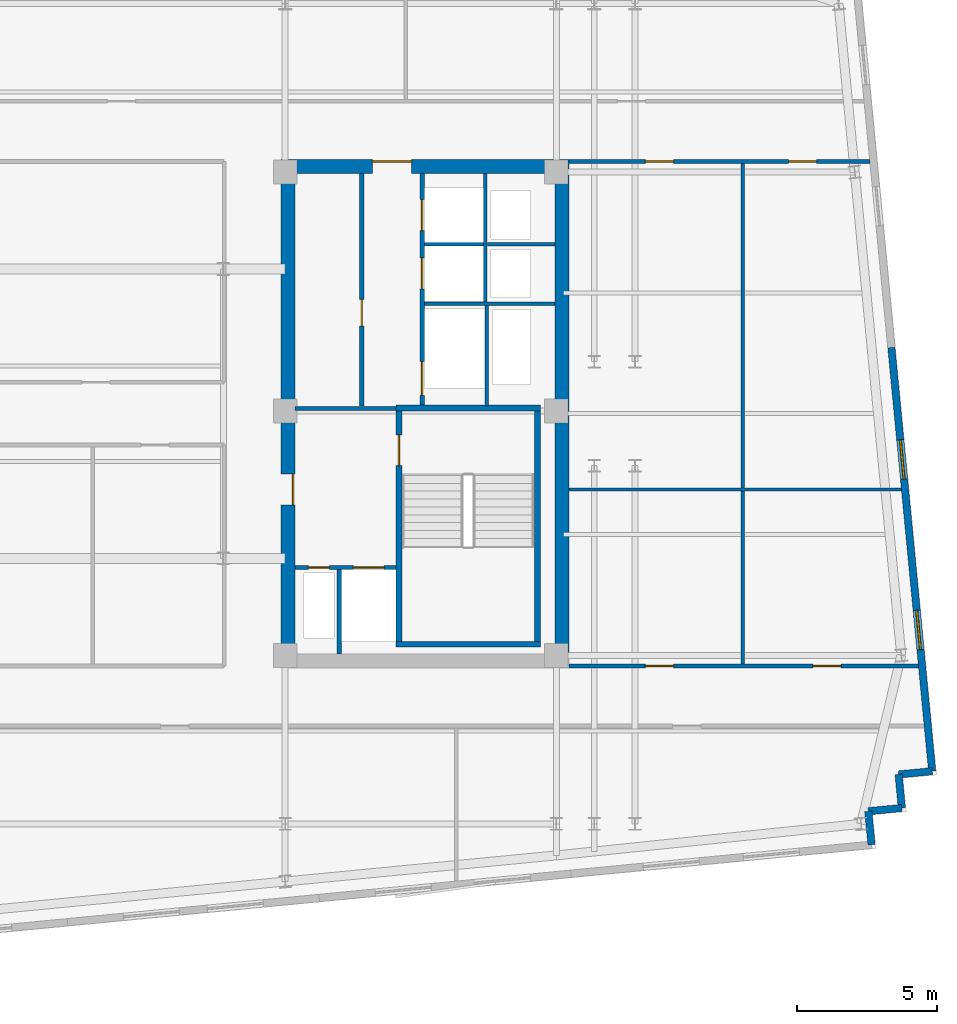
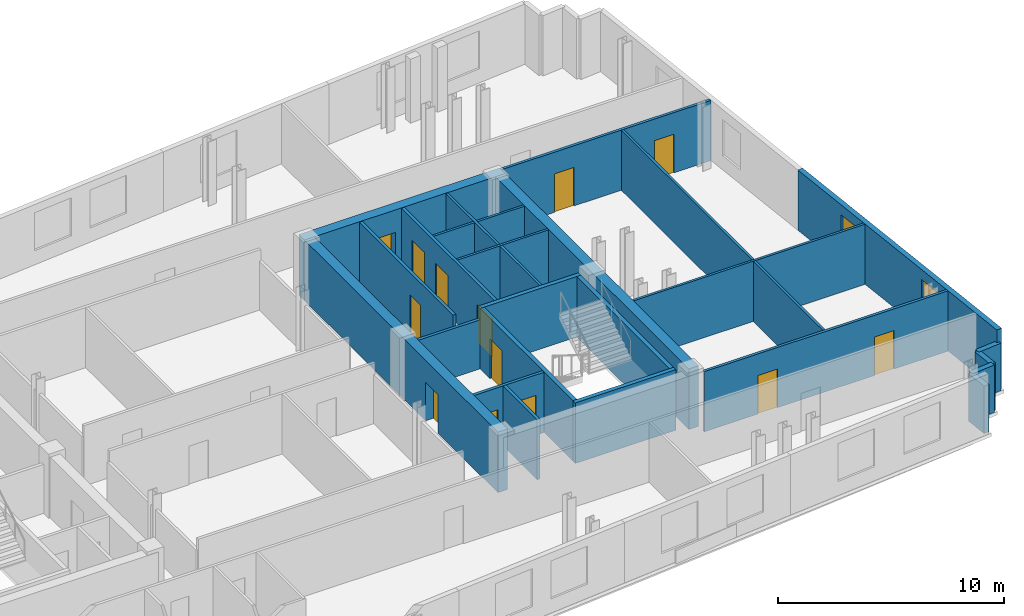
# One storey, part 5 of 8: 26 walls, 13 doors, 2 windows, 15 openings.
"""IFC4 building model written with IfcOpenShell, lengths in metres."""

from ifc_helpers import new_model, si_unit, direction, frame, frame_2d, origin, place, context, subcontext, project, spatial, rectangle, extrude, material, layer, layer_set, type_object, element, fill, save


model = new_model("IFC4")

# Units and contexts
model_context = context("Model", 3, precision=1e-05, world=origin(), true_north=direction((0.0, 1.0)))
body_context = subcontext(model_context, "Body", "Model", "MODEL_VIEW")
ifc_project = project(units=[si_unit("LENGTHUNIT", "METRE"), si_unit("AREAUNIT", "SQUARE_METRE"), si_unit("VOLUMEUNIT", "CUBIC_METRE"), si_unit("PLANEANGLEUNIT", "RADIAN"), si_unit("MASSUNIT", "GRAM", prefix="KILO")], contexts=[model_context])

# Site, building, storey
site_placement = place(None, origin())
site = spatial("IfcSite", under=ifc_project, at=site_placement, CompositionType="ELEMENT")
building_placement = place(site_placement, origin())
building = spatial("IfcBuilding", under=site, at=building_placement, Name="Velakula Bourse", CompositionType="ELEMENT")
storey_placement = place(building_placement, frame((0.0, 0.0, 255.14990234375)))
storey = spatial("IfcBuildingStorey", under=building, at=storey_placement, Name="L69", CompositionType="ELEMENT", Elevation=255.14990234375)

# Wall, opening, door
ifc_material_1 = material(Name="Concrete M50 (fck 50 MPa)", Category="concrete")
ifc_layer_1 = layer(ifc_material_1, 0.2099609375, Name="Concrete M50 (fck 50 MPa)", Category="concrete")
ifc_layer_set_1 = layer_set([ifc_layer_1], Name="Concrete M50 (fck 50 MPa)")
wall_type_1 = type_object("IfcWallType", Name="WL-CORE-210", PredefinedType="SHEAR", material=ifc_layer_set_1)
wall_1_placement = place(storey_placement, frame((12.9951171875, -8.10009765625, 0.0), z_axis=(0.0, 0.0, 1.0), x_axis=(0.0, 1.0, 0.0)))
wall_1 = element("IfcWall", 1, at=wall_1_placement, inside=storey, type_object=wall_type_1, Name="L69 Core E Stairwell Shear Wall IN", PredefinedType="SHEAR", context=body_context, shape_type="SweptSolid", body=[
    extrude(rectangle(XDim=8.2001953125, YDim=0.2099609375, at=frame_2d((4.10009765625, 0.0))), origin(), (0.0, 0.0, 1.0), 3.27001953125),
])
opening_1_placement = place(wall_1_placement, frame((6.25, 0.0, 0.0)))
opening_1 = element("IfcOpeningElement", 2, at=opening_1_placement, cuts=wall_1, Name="Opening D-STE1", PredefinedType="OPENING", context=body_context, shape_type="SweptSolid", body=[
    extrude(rectangle(XDim=1.10009765625, YDim=2.14990234375, at=frame_2d((0.550048828125, 1.074951171875))), frame((0.0, 0.114990234375, 0.0), z_axis=(0.0, -1.0, 0.0), x_axis=(1.0, 0.0, 0.0)), (0.0, 0.0, 1.0), 0.22998046875),
])
ifc_material_2 = material(Name="Galvanised painted hollow steel fire door", Category="steel")
door_type_1 = type_object("IfcDoorType", Name="DR-FD120-1100x2150", OperationType="NOTDEFINED", PredefinedType="DOOR", material=ifc_material_2)
door_1_placement = place(opening_1_placement, origin())
door_1 = element("IfcDoor", 3, at=door_1_placement, inside=storey, type_object=door_type_1, Name="L69 Stair ST-E1 Fire Door", OperationType="SINGLE_SWING_RIGHT", OverallHeight=2.14990234375, OverallWidth=1.10009765625, PredefinedType="DOOR", context=body_context, shape_type="SweptSolid", body=[
    extrude(rectangle(XDim=1.10009765625, YDim=2.14990234375, at=frame_2d((0.550048828125, 1.074951171875))), frame((0.0, 0.02490234375, 0.0), z_axis=(0.0, -1.0, 0.0), x_axis=(1.0, 0.0, 0.0)), (0.0, 0.0, 1.0), 0.050048828125),
])
fill(opening_1, door_1)

# Walls
wall_2_placement = place(storey_placement, frame((17.925048828125, -8.10009765625, 0.0), z_axis=(0.0, 0.0, 1.0), x_axis=(0.0, 1.0, 0.0)))
element("IfcWall", 4, at=wall_2_placement, inside=storey, type_object=wall_type_1, Name="L69 Core E Stairwell Shear Wall OUT", PredefinedType="SHEAR", context=body_context, shape_type="SweptSolid", body=[
    extrude(rectangle(XDim=8.2001953125, YDim=0.2099609375, at=frame_2d((4.10009765625, 0.0))), origin(), (0.0, 0.0, 1.0), 3.27001953125),
])
for number, where, z_axis, x_axis, name in (
    (5, (12.889892578125, -8.205078125, 0.0), (0.0, 0.0, 1.0), (1.0, 0.0, 0.0), "L69 Core E Stairwell Shear Wall S"),
    (6, (18.030029296875, 0.205078125, 0.0), (0.0, 0.0, 1.0), (-1.0, 0.0, 0.0), "L69 Core E Stairwell Shear Wall N"),
):
    element("IfcWall", number, at=place(storey_placement, frame(where, z_axis=z_axis, x_axis=x_axis)), inside=storey, type_object=wall_type_1, Name=name, PredefinedType="SHEAR", context=body_context, shape_type="SweptSolid", body=[
        extrude(rectangle(XDim=5.14013671875, YDim=0.2099609375, at=frame_2d((2.570068359375, 0.0))), origin(), (0.0, 0.0, 1.0), 3.27001953125),
    ])

# Wall, opening, door
ifc_layer_2 = layer(ifc_material_1, 0.5, Name="Concrete M50 (fck 50 MPa)", Category="concrete")
ifc_layer_set_2 = layer_set([ifc_layer_2], Name="Concrete M50 (fck 50 MPa)")
wall_type_2 = type_object("IfcWallType", Name="WL-CORE-500", PredefinedType="SHEAR", material=ifc_layer_set_2)
wall_3_placement = place(storey_placement, frame((8.800048828125, 8.800048828125, 0.0), z_axis=(0.0, 0.0, 1.0), x_axis=(1.0, 0.0, 0.0)))
wall_3 = element("IfcWall", 7, at=wall_3_placement, inside=storey, type_object=wall_type_2, Name="L69 Core E Shear Wall N", PredefinedType="SHEAR", context=body_context, shape_type="SweptSolid", body=[
    extrude(rectangle(XDim=10.25, YDim=0.5, at=frame_2d((5.125, 0.0))), origin(), (0.0, 0.0, 1.0), 3.27001953125),
])
opening_2_placement = place(wall_3_placement, frame((3.25, 0.0, 0.0)))
opening_2 = element("IfcOpeningElement", 8, at=opening_2_placement, cuts=wall_3, Name="Opening D-LLE", PredefinedType="OPENING", context=body_context, shape_type="SweptSolid", body=[
    extrude(rectangle(XDim=1.39990234375, YDim=2.050048828125, at=frame_2d((0.699951171875, 1.02490234375))), frame((0.0, 0.260009765625, 0.0), z_axis=(0.0, -1.0, 0.0), x_axis=(1.0, 0.0, 0.0)), (0.0, 0.0, 1.0), 0.52001953125),
])
ifc_material_3 = material(Name="Fire-rated hardwood flush architectural door", Category="wood")
door_type_2 = type_object("IfcDoorType", Name="DR-DBL-FD60-1400", OperationType="DOUBLE_DOOR_SINGLE_SWING", PredefinedType="DOOR", material=ifc_material_3)
door_2_placement = place(opening_2_placement, origin())
door_2 = element("IfcDoor", 9, at=door_2_placement, inside=storey, type_object=door_type_2, Name="L69 Core E Lift Lobby Corridor Double Door", OperationType="DOUBLE_DOOR_SINGLE_SWING", OverallHeight=2.050048828125, OverallWidth=1.39990234375, PredefinedType="DOOR", context=body_context, shape_type="SweptSolid", body=[
    extrude(rectangle(XDim=1.39990234375, YDim=2.050048828125, at=frame_2d((0.699951171875, 1.02490234375))), frame((0.0, 0.19482421875, 0.0), z_axis=(0.0, -1.0, 0.0), x_axis=(1.0, 0.0, 0.0)), (0.0, 0.0, 1.0), 0.050048828125),
])
fill(opening_2, door_2)

wall_4_placement = place(storey_placement, frame((9.050048828125, -8.550048828125, 0.0), z_axis=(0.0, 0.0, 1.0), x_axis=(0.0, 1.0, 0.0)))
wall_4 = element("IfcWall", 10, at=wall_4_placement, inside=storey, type_object=wall_type_2, Name="L69 Core E Shear Wall W", PredefinedType="SHEAR", context=body_context, shape_type="SweptSolid", body=[
    extrude(rectangle(XDim=17.10009765625, YDim=0.5, at=frame_2d((8.550048828125, 0.0))), origin(), (0.0, 0.0, 1.0), 3.27001953125),
])
opening_3_placement = place(wall_4_placement, frame((5.300048828125, 0.0, 0.0)))
opening_3 = element("IfcOpeningElement", 11, at=opening_3_placement, cuts=wall_4, Name="Opening D-FLE", PredefinedType="OPENING", context=body_context, shape_type="SweptSolid", body=[
    extrude(rectangle(XDim=1.10009765625, YDim=2.080078125, at=frame_2d((0.550048828125, 1.0400390625))), frame((0.0, 0.260009765625, 0.0), z_axis=(0.0, -1.0, 0.0), x_axis=(1.0, 0.0, 0.0)), (0.0, 0.0, 1.0), 0.52001953125),
])
door_type_3 = type_object("IfcDoorType", Name="DR-FD120-1100", OperationType="NOTDEFINED", PredefinedType="DOOR", material=ifc_material_2)
door_3_placement = place(opening_3_placement, origin())
door_3 = element("IfcDoor", 12, at=door_3_placement, inside=storey, type_object=door_type_3, Name="L69 Firefighting Lobby E Corridor Fire Door", OperationType="SINGLE_SWING_RIGHT", OverallHeight=2.080078125, OverallWidth=1.10009765625, PredefinedType="DOOR", context=body_context, shape_type="SweptSolid", body=[
    extrude(rectangle(XDim=1.10009765625, YDim=2.080078125, at=frame_2d((0.550048828125, 1.0400390625))), frame((0.0, -0.15478515625, 0.0), z_axis=(0.0, -1.0, 0.0), x_axis=(1.0, 0.0, 0.0)), (0.0, 0.0, 1.0), 0.050048828125),
])
fill(opening_3, door_3)

# Wall
wall_5_placement = place(storey_placement, frame((18.800048828125, -8.550048828125, 0.0), z_axis=(0.0, 0.0, 1.0), x_axis=(0.0, 1.0, 0.0)))
element("IfcWall", 13, at=wall_5_placement, inside=storey, type_object=wall_type_2, Name="L69 Core E Shear Wall E", PredefinedType="SHEAR", context=body_context, shape_type="SweptSolid", body=[
    extrude(rectangle(XDim=17.10009765625, YDim=0.5, at=frame_2d((8.550048828125, 0.0))), origin(), (0.0, 0.0, 1.0), 3.27001953125),
])

# Wall, openings, windows
ifc_material_4 = material(Name="Buff kilned clay facing brick masonry", Category="masonry")
ifc_layer_3 = layer(ifc_material_4, 0.260009765625, Name="Buff kilned clay facing brick masonry", Category="masonry")
ifc_layer_set_3 = layer_set([ifc_layer_3], Name="Buff kilned clay facing brick masonry")
wall_type_3 = type_object("IfcWallType", Name="WL-EXT-BRK-260", PredefinedType="STANDARD", material=ifc_layer_set_3)
wall_6_placement = place(storey_placement, frame((30.52734375, 2.354248046875, 0.0), z_axis=(0.0, 0.0, 1.0), x_axis=(0.095850890337, -0.995395703638, 0.0)))
wall_6 = element("IfcWall", 14, at=wall_6_placement, inside=storey, type_object=wall_type_3, Name="L69 E Brick End Wall W1", PredefinedType="STANDARD", context=body_context, shape_type="SweptSolid", body=[
    extrude(rectangle(XDim=15.150146484375, YDim=0.260009765625, at=frame_2d((7.5751953125, 0.0))), origin(), (0.0, 0.0, 1.0), 3.25),
])
opening_4_placement = place(wall_6_placement, frame((3.300048828125, 0.0, 0.760009765625)))
opening_4 = element("IfcOpeningElement", 15, at=opening_4_placement, cuts=wall_6, Name="Opening W-03", PredefinedType="OPENING", context=body_context, shape_type="SweptSolid", body=[
    extrude(rectangle(XDim=1.39990234375, YDim=1.949951171875, at=frame_2d((0.699951171875, 0.97509765625))), frame((0.0, 0.139892578125, 0.0), z_axis=(0.0, -1.0, 0.0), x_axis=(1.0, 0.0, 0.0)), (0.0, 0.0, 1.0), 0.280029296875),
])
opening_5_placement = place(wall_6_placement, frame((9.39990234375, 0.0, 0.760009765625)))
opening_5 = element("IfcOpeningElement", 16, at=opening_5_placement, cuts=wall_6, Name="Opening W-03", PredefinedType="OPENING", context=body_context, shape_type="SweptSolid", body=[
    extrude(rectangle(XDim=1.39990234375, YDim=1.949951171875, at=frame_2d((0.699951171875, 0.97509765625))), frame((0.0, 0.139892578125, 0.0), z_axis=(0.0, -1.0, 0.0), x_axis=(1.0, 0.0, 0.0)), (0.0, 0.0, 1.0), 0.280029296875),
])
ifc_material_5 = material(Name="Double-glazed solar-control Low-E glass", Category="glass")
window_type = type_object("IfcWindowType", Name="WIN-TWR-1400x2100", PartitioningType="SINGLE_PANEL", PredefinedType="WINDOW", material=ifc_material_5)
window_1_placement = place(opening_4_placement, origin())
window_1 = element("IfcWindow", 17, at=window_1_placement, inside=storey, type_object=window_type, Name="L69 Deep-Set Recessed Window 1", OverallHeight=1.949951171875, OverallWidth=1.39990234375, PartitioningType="SINGLE_PANEL", PredefinedType="WINDOW", context=body_context, shape_type="SweptSolid", body=[
    extrude(rectangle(XDim=1.39990234375, YDim=1.949951171875, at=frame_2d((0.699951171875, 0.97509765625))), frame((0.0, 0.030029296875, 0.0), z_axis=(0.0, -1.0, 0.0), x_axis=(1.0, 0.0, 0.0)), (0.0, 0.0, 1.0), 0.06005859375),
])
fill(opening_4, window_1)
window_2_placement = place(opening_5_placement, origin())
window_2 = element("IfcWindow", 18, at=window_2_placement, inside=storey, type_object=window_type, Name="L69 Deep-Set Recessed Window 2", OverallHeight=1.949951171875, OverallWidth=1.39990234375, PartitioningType="SINGLE_PANEL", PredefinedType="WINDOW", context=body_context, shape_type="SweptSolid", body=[
    extrude(rectangle(XDim=1.39990234375, YDim=1.949951171875, at=frame_2d((0.699951171875, 0.97509765625))), frame((0.0, 0.030029296875, 0.0), z_axis=(0.0, -1.0, 0.0), x_axis=(1.0, 0.0, 0.0)), (0.0, 0.0, 1.0), 0.06005859375),
])
fill(opening_5, window_2)

# Walls
for number, where, z_axis, x_axis, name in (
    (19, (29.820556640625, -15.344970703125, 0.0), (0.0, 0.0, 1.0), (-0.096018626938, 0.995379537303, 0.0), "L69 Serrated Corner Brick Wall SE-1"),
    (20, (29.705322265625, -14.150390625, 0.0), (0.0, 0.0, 1.0), (0.995398960025, 0.095817067274, 0.0), "L69 Serrated Corner Brick Wall SE-2"),
):
    element("IfcWall", number, at=place(storey_placement, frame(where, z_axis=z_axis, x_axis=x_axis)), inside=storey, type_object=wall_type_3, Name=name, PredefinedType="STANDARD", context=body_context, shape_type="SweptSolid", body=[
        extrude(rectangle(XDim=1.2001953125, YDim=0.260009765625, at=frame_2d((0.60009765625, 0.0))), origin(), (0.0, 0.0, 1.0), 2.565185546875),
    ])
wall_7_placement = place(storey_placement, frame((30.89990234375, -14.035400390625, 0.0), z_axis=(0.0, 0.0, 1.0), x_axis=(-0.095836473879, 0.995397091755, 0.0)))
element("IfcWall", 21, at=wall_7_placement, inside=storey, type_object=wall_type_3, Name="L69 Serrated Corner Brick Wall SE-3", PredefinedType="STANDARD", context=body_context, shape_type="SweptSolid", body=[
    extrude(rectangle(XDim=1.199951171875, YDim=0.260009765625, at=frame_2d((0.60009765625, 0.0))), origin(), (0.0, 0.0, 1.0), 2.565185546875),
])
wall_8_placement = place(storey_placement, frame((30.784912109375, -12.841064453125, 0.0), z_axis=(0.0, 0.0, 1.0), x_axis=(0.995398960025, 0.095817067274, 0.0)))
element("IfcWall", 22, at=wall_8_placement, inside=storey, type_object=wall_type_3, Name="L69 Serrated Corner Brick Wall SE-4", PredefinedType="STANDARD", context=body_context, shape_type="SweptSolid", body=[
    extrude(rectangle(XDim=1.2001953125, YDim=0.260009765625, at=frame_2d((0.60009765625, 0.0))), origin(), (0.0, 0.0, 1.0), 2.565185546875),
])
ifc_material_6 = material(Name="Fire-rated double-layer gypsum drywall partition", Category="gypsum")
ifc_layer_4 = layer(ifc_material_6, 0.1201171875, Name="Fire-rated double-layer gypsum drywall partition", Category="gypsum")
ifc_layer_set_4 = layer_set([ifc_layer_4], Name="Fire-rated double-layer gypsum drywall partition")
wall_type_4 = type_object("IfcWallType", Name="WL-PART-120", PredefinedType="STANDARD", material=ifc_layer_set_4)
wall_9_placement = place(storey_placement, frame((13.89990234375, 3.919921875, 0.0), z_axis=(0.0, 0.0, 1.0), x_axis=(1.0, 0.0, 0.0)))
element("IfcWall", 23, at=wall_9_placement, inside=storey, type_object=wall_type_4, Name="L69 Interior Partition WL-CRE-L69-HI-S", PredefinedType="STANDARD", context=body_context, shape_type="SweptSolid", body=[
    extrude(rectangle(XDim=4.650146484375, YDim=0.1201171875, at=frame_2d((2.3251953125, 0.0))), origin(), (0.0, 0.0, 1.0), 3.25),
])
wall_10_placement = place(storey_placement, frame((16.14990234375, 6.030029296875, 0.0), z_axis=(0.0, 0.0, 1.0), x_axis=(1.0, 0.0, 0.0)))
element("IfcWall", 24, at=wall_10_placement, inside=storey, type_object=wall_type_4, Name="L69 Interior Partition WL-CRE-L69-RIS-MID", PredefinedType="STANDARD", context=body_context, shape_type="SweptSolid", body=[
    extrude(rectangle(XDim=2.400146484375, YDim=0.1201171875, at=frame_2d((1.2001953125, 0.0))), origin(), (0.0, 0.0, 1.0), 3.25),
])
wall_11_placement = place(storey_placement, frame((16.074951171875, 3.97998046875, 0.0), z_axis=(0.0, 0.0, 1.0), x_axis=(0.0, 1.0, 0.0)))
element("IfcWall", 25, at=wall_11_placement, inside=storey, type_object=wall_type_4, Name="L69 Interior Partition WL-CRE-L69-RIS-F", PredefinedType="STANDARD", context=body_context, shape_type="SweptSolid", body=[
    extrude(rectangle(XDim=4.570068359375, YDim=0.1201171875, at=frame_2d((2.28515625, 0.0))), origin(), (0.0, 0.0, 1.0), 3.25),
])
wall_12_placement = place(storey_placement, frame((13.89990234375, 6.030029296875, 0.0), z_axis=(0.0, 0.0, 1.0), x_axis=(1.0, 0.0, 0.0)))
element("IfcWall", 26, at=wall_12_placement, inside=storey, type_object=wall_type_4, Name="L69 Interior Partition WL-CRE-L69-HI-DIV", PredefinedType="STANDARD", context=body_context, shape_type="SweptSolid", body=[
    extrude(rectangle(XDim=2.10009765625, YDim=0.1201171875, at=frame_2d((1.050048828125, 0.0))), origin(), (0.0, 0.0, 1.0), 3.25),
])
wall_13_placement = place(storey_placement, frame((16.125, 0.27001953125, 0.0), z_axis=(0.0, 0.0, 1.0), x_axis=(0.0, 1.0, 0.0)))
element("IfcWall", 27, at=wall_13_placement, inside=storey, type_object=wall_type_4, Name="L69 Interior Partition WL-CRE-L69-SVL-E", PredefinedType="STANDARD", context=body_context, shape_type="SweptSolid", body=[
    extrude(rectangle(XDim=3.590087890625, YDim=0.1201171875, at=frame_2d((1.794921875, 0.0))), origin(), (0.0, 0.0, 1.0), 3.25),
])
wall_14_placement = place(storey_placement, frame((19.050048828125, -2.699951171875, 0.0), z_axis=(0.0, 0.0, 1.0), x_axis=(1.0, 0.0, 0.0)))
element("IfcWall", 28, at=wall_14_placement, inside=storey, type_object=wall_type_4, Name="L69 Interior Partition WL-INT-L69-E-H", PredefinedType="STANDARD", context=body_context, shape_type="SweptSolid", body=[
    extrude(rectangle(XDim=11.833251953125, YDim=0.1201171875, at=frame_2d((5.91650390625, 0.0))), origin(), (0.0, 0.0, 1.0), 3.25),
])
wall_15_placement = place(storey_placement, frame((25.239013671875, -8.97998046875, 0.0), z_axis=(0.0, 0.0, 1.0), x_axis=(0.0, 1.0, 0.0)))
element("IfcWall", 29, at=wall_15_placement, inside=storey, type_object=wall_type_4, Name="L69 Interior Partition WL-INT-L69-E-V1", PredefinedType="STANDARD", context=body_context, shape_type="SweptSolid", body=[
    extrude(rectangle(XDim=17.9599609375, YDim=0.1201171875, at=frame_2d((8.97998046875, 0.0))), origin(), (0.0, 0.0, 1.0), 3.25),
])

# Wall, openings, doors
ifc_layer_5 = layer(ifc_material_6, 0.139892578125, Name="Fire-rated double-layer gypsum drywall partition", Category="gypsum")
ifc_layer_set_5 = layer_set([ifc_layer_5], Name="Fire-rated double-layer gypsum drywall partition")
wall_type_5 = type_object("IfcWallType", Name="WL-PART-140", PredefinedType="STANDARD", material=ifc_layer_set_5)
wall_16_placement = place(storey_placement, frame((19.050048828125, 8.97998046875, 0.0), z_axis=(0.0, 0.0, 1.0), x_axis=(1.0, 0.0, 0.0)))
wall_16 = element("IfcWall", 30, at=wall_16_placement, inside=storey, type_object=wall_type_5, Name="L69 Interior Partition WL-INT-L69-E-NC", PredefinedType="STANDARD", context=body_context, shape_type="SweptSolid", body=[
    extrude(rectangle(XDim=10.708740234375, YDim=0.139892578125, at=frame_2d((5.3544921875, 0.0))), origin(), (0.0, 0.0, 1.0), 3.25),
])
opening_6_placement = place(wall_16_placement, frame((2.724609375, 0.0, 0.0)))
opening_6 = element("IfcOpeningElement", 31, at=opening_6_placement, cuts=wall_16, Name="Opening D-OF1", PredefinedType="OPENING", context=body_context, shape_type="SweptSolid", body=[
    extrude(rectangle(XDim=1.0, YDim=2.080078125, at=frame_2d((0.5, 1.0400390625))), frame((0.0, 0.079833984375, 0.0), z_axis=(0.0, -1.0, 0.0), x_axis=(1.0, 0.0, 0.0)), (0.0, 0.0, 1.0), 0.159912109375),
])
opening_7_placement = place(wall_16_placement, frame((7.81884765625, 0.0, 0.0)))
opening_7 = element("IfcOpeningElement", 32, at=opening_7_placement, cuts=wall_16, Name="Opening D-OF1", PredefinedType="OPENING", context=body_context, shape_type="SweptSolid", body=[
    extrude(rectangle(XDim=1.0, YDim=2.080078125, at=frame_2d((0.5, 1.0400390625))), frame((0.0, 0.079833984375, 0.0), z_axis=(0.0, -1.0, 0.0), x_axis=(1.0, 0.0, 0.0)), (0.0, 0.0, 1.0), 0.159912109375),
])
door_type_4 = type_object("IfcDoorType", Name="DR-OFF-1000", OperationType="NOTDEFINED", PredefinedType="DOOR", material=ifc_material_3)
door_4_placement = place(opening_6_placement, origin())
door_4 = element("IfcDoor", 33, at=door_4_placement, inside=storey, type_object=door_type_4, Name="L69 Chief Risk Officer Chamber Door", OperationType="SINGLE_SWING_LEFT", OverallHeight=2.080078125, OverallWidth=1.0, PredefinedType="DOOR", context=body_context, shape_type="SweptSolid", body=[
    extrude(rectangle(XDim=1.0, YDim=2.080078125, at=frame_2d((0.5, 1.0400390625))), frame((0.0, 0.02490234375, 0.0), z_axis=(0.0, -1.0, 0.0), x_axis=(1.0, 0.0, 0.0)), (0.0, 0.0, 1.0), 0.050048828125),
])
fill(opening_6, door_4)
door_5_placement = place(opening_7_placement, origin())
door_5 = element("IfcDoor", 34, at=door_5_placement, inside=storey, type_object=door_type_4, Name="L69 Listing Committee Chamber Door", OperationType="SINGLE_SWING_RIGHT", OverallHeight=2.080078125, OverallWidth=1.0, PredefinedType="DOOR", context=body_context, shape_type="SweptSolid", body=[
    extrude(rectangle(XDim=1.0, YDim=2.080078125, at=frame_2d((0.5, 1.0400390625))), frame((0.0, 0.02490234375, 0.0), z_axis=(0.0, -1.0, 0.0), x_axis=(1.0, 0.0, 0.0)), (0.0, 0.0, 1.0), 0.050048828125),
])
fill(opening_7, door_5)

wall_17_placement = place(storey_placement, frame((19.050048828125, -8.97998046875, 0.0), z_axis=(0.0, 0.0, 1.0), x_axis=(1.0, 0.0, 0.0)))
wall_17 = element("IfcWall", 35, at=wall_17_placement, inside=storey, type_object=wall_type_5, Name="L69 Interior Partition WL-INT-L69-E-SC", PredefinedType="STANDARD", context=body_context, shape_type="SweptSolid", body=[
    extrude(rectangle(XDim=12.43798828125, YDim=0.139892578125, at=frame_2d((6.218994140625, 0.0))), origin(), (0.0, 0.0, 1.0), 3.25),
])
opening_8_placement = place(wall_17_placement, frame((2.724609375, 0.0, 0.0)))
opening_8 = element("IfcOpeningElement", 36, at=opening_8_placement, cuts=wall_17, Name="Opening D-OF1", PredefinedType="OPENING", context=body_context, shape_type="SweptSolid", body=[
    extrude(rectangle(XDim=1.0, YDim=2.080078125, at=frame_2d((0.5, 1.0400390625))), frame((0.0, 0.079833984375, 0.0), z_axis=(0.0, -1.0, 0.0), x_axis=(1.0, 0.0, 0.0)), (0.0, 0.0, 1.0), 0.159912109375),
])
opening_9_placement = place(wall_17_placement, frame((8.68359375, 0.0, 0.0)))
opening_9 = element("IfcOpeningElement", 37, at=opening_9_placement, cuts=wall_17, Name="Opening D-OF1", PredefinedType="OPENING", context=body_context, shape_type="SweptSolid", body=[
    extrude(rectangle(XDim=1.0, YDim=2.080078125, at=frame_2d((0.5, 1.0400390625))), frame((0.0, 0.079833984375, 0.0), z_axis=(0.0, -1.0, 0.0), x_axis=(1.0, 0.0, 0.0)), (0.0, 0.0, 1.0), 0.159912109375),
])
door_6_placement = place(opening_8_placement, origin())
door_6 = element("IfcDoor", 38, at=door_6_placement, inside=storey, type_object=door_type_4, Name="L69 Chief Risk Officer Chamber Door", OperationType="SINGLE_SWING_LEFT", OverallHeight=2.080078125, OverallWidth=1.0, PredefinedType="DOOR", context=body_context, shape_type="SweptSolid", body=[
    extrude(rectangle(XDim=1.0, YDim=2.080078125, at=frame_2d((0.5, 1.0400390625))), frame((0.0, 0.02490234375, 0.0), z_axis=(0.0, -1.0, 0.0), x_axis=(1.0, 0.0, 0.0)), (0.0, 0.0, 1.0), 0.050048828125),
])
fill(opening_8, door_6)
door_7_placement = place(opening_9_placement, origin())
door_7 = element("IfcDoor", 39, at=door_7_placement, inside=storey, type_object=door_type_4, Name="L69 Listing Committee Chamber Door", OperationType="SINGLE_SWING_RIGHT", OverallHeight=2.080078125, OverallWidth=1.0, PredefinedType="DOOR", context=body_context, shape_type="SweptSolid", body=[
    extrude(rectangle(XDim=1.0, YDim=2.080078125, at=frame_2d((0.5, 1.0400390625))), frame((0.0, 0.02490234375, 0.0), z_axis=(0.0, -1.0, 0.0), x_axis=(1.0, 0.0, 0.0)), (0.0, 0.0, 1.0), 0.050048828125),
])
fill(opening_9, door_7)

ifc_material_7 = material(Name="Autoclaved aerated concrete blockwork masonry", Category="masonry")
ifc_layer_6 = layer(ifc_material_7, 0.14990234375, Name="Autoclaved aerated concrete blockwork masonry", Category="masonry")
ifc_layer_set_6 = layer_set([ifc_layer_6], Name="Autoclaved aerated concrete blockwork masonry")
wall_type_6 = type_object("IfcWallType", Name="WL-SHAFT-150", PredefinedType="STANDARD", material=ifc_layer_set_6)
wall_18_placement = place(storey_placement, frame((9.300048828125, -5.47509765625, 0.0), z_axis=(0.0, 0.0, 1.0), x_axis=(1.0, 0.0, 0.0)))
wall_18 = element("IfcWall", 40, at=wall_18_placement, inside=storey, type_object=wall_type_6, Name="L69 Interior Partition WL-CRE-L69-FFL-N", PredefinedType="STANDARD", context=body_context, shape_type="SweptSolid", body=[
    extrude(rectangle(XDim=3.594970703125, YDim=0.14990234375, at=frame_2d((1.79736328125, 0.0))), origin(), (0.0, 0.0, 1.0), 3.25),
])
opening_10_placement = place(wall_18_placement, frame((2.074951171875, 0.0, 0.0)))
opening_10 = element("IfcOpeningElement", 41, at=opening_10_placement, cuts=wall_18, Name="Opening LD-FFL-2", PredefinedType="OPENING", context=body_context, shape_type="SweptSolid", body=[
    extrude(rectangle(XDim=1.10009765625, YDim=2.14990234375, at=frame_2d((0.550048828125, 1.074951171875))), frame((0.0, 0.0849609375, 0.0), z_axis=(0.0, -1.0, 0.0), x_axis=(1.0, 0.0, 0.0)), (0.0, 0.0, 1.0), 0.169921875),
])
opening_11_placement = place(wall_18_placement, frame((0.47509765625, 0.0, 0.0)))
opening_11 = element("IfcOpeningElement", 42, at=opening_11_placement, cuts=wall_18, Name="Opening D-RS1", PredefinedType="OPENING", context=body_context, shape_type="SweptSolid", body=[
    extrude(rectangle(XDim=0.75, YDim=2.050048828125, at=frame_2d((0.375, 1.02490234375))), frame((0.0, 0.0849609375, 0.0), z_axis=(0.0, -1.0, 0.0), x_axis=(1.0, 0.0, 0.0)), (0.0, 0.0, 1.0), 0.169921875),
])
door_type_5 = type_object("IfcDoorType", Name="DR-RISER-800", OperationType="NOTDEFINED", PredefinedType="DOOR", material=ifc_material_2)
door_8_placement = place(opening_11_placement, origin())
door_8 = element("IfcDoor", 43, at=door_8_placement, inside=storey, type_object=door_type_5, Name="L69 Fire Riser Access Door", OperationType="SINGLE_SWING_LEFT", OverallHeight=2.050048828125, OverallWidth=0.75, PredefinedType="DOOR", context=body_context, shape_type="SweptSolid", body=[
    extrude(rectangle(XDim=0.75, YDim=2.050048828125, at=frame_2d((0.375, 1.02490234375))), frame((0.0, 0.02490234375, 0.0), z_axis=(0.0, -1.0, 0.0), x_axis=(1.0, 0.0, 0.0)), (0.0, 0.0, 1.0), 0.050048828125),
])
fill(opening_11, door_8)
ifc_material_8 = material(Name="Brushed grade 316 stainless steel", Category="steel")
door_type_6 = type_object("IfcDoorType", Name="DR-SLIDE-FFL-1100", OperationType="DOUBLE_DOOR_SLIDING", PredefinedType="DOOR", material=ifc_material_8)
door_9_placement = place(opening_10_placement, origin())
door_9 = element("IfcDoor", 44, at=door_9_placement, inside=storey, type_object=door_type_6, Name="L69 Firefighting Lift FFL-2 Sliding Landing Door", OperationType="DOUBLE_DOOR_SLIDING", OverallHeight=2.14990234375, OverallWidth=1.10009765625, PredefinedType="DOOR", context=body_context, shape_type="SweptSolid", body=[
    extrude(rectangle(XDim=1.10009765625, YDim=2.14990234375, at=frame_2d((0.550048828125, 1.074951171875))), frame((0.0, 0.02490234375, 0.0), z_axis=(0.0, -1.0, 0.0), x_axis=(1.0, 0.0, 0.0)), (0.0, 0.0, 1.0), 0.050048828125),
])
fill(opening_10, door_9)

# Walls
wall_19_placement = place(storey_placement, frame((10.875, -8.550048828125, 0.0), z_axis=(0.0, 0.0, 1.0), x_axis=(0.0, 1.0, 0.0)))
element("IfcWall", 45, at=wall_19_placement, inside=storey, type_object=wall_type_6, Name="L69 Interior Partition WL-CRE-L69-FR-DIV", PredefinedType="STANDARD", context=body_context, shape_type="SweptSolid", body=[
    extrude(rectangle(XDim=3.0, YDim=0.14990234375, at=frame_2d((1.5, 0.0))), origin(), (0.0, 0.0, 1.0), 3.25),
])
wall_20_placement = place(storey_placement, frame((9.300048828125, 0.18994140625, 0.0), z_axis=(0.0, 0.0, 1.0), x_axis=(1.0, 0.0, 0.0)))
element("IfcWall", 46, at=wall_20_placement, inside=storey, type_object=wall_type_6, Name="L69 Interior Partition WL-CRE-L69-FF-TOP", PredefinedType="STANDARD", context=body_context, shape_type="SweptSolid", body=[
    extrude(rectangle(XDim=3.58984375, YDim=0.14990234375, at=frame_2d((1.794921875, 0.0))), origin(), (0.0, 0.0, 1.0), 2.64501953125),
])

# Wall, opening, door
wall_21_placement = place(storey_placement, frame((11.675048828125, 0.27001953125, 0.0), z_axis=(0.0, 0.0, 1.0), x_axis=(0.0, 1.0, 0.0)))
wall_21 = element("IfcWall", 47, at=wall_21_placement, inside=storey, type_object=wall_type_6, Name="L69 Interior Partition WL-CRE-L69-BANK-F", PredefinedType="STANDARD", context=body_context, shape_type="SweptSolid", body=[
    extrude(rectangle(XDim=8.280029296875, YDim=0.14990234375, at=frame_2d((4.14013671875, 0.0))), origin(), (0.0, 0.0, 1.0), 3.25),
])
opening_12_placement = place(wall_21_placement, frame((2.85009765625, 0.0, 0.0)))
opening_12 = element("IfcOpeningElement", 48, at=opening_12_placement, cuts=wall_21, Name="Opening D-RC5", PredefinedType="OPENING", context=body_context, shape_type="SweptSolid", body=[
    extrude(rectangle(XDim=0.949951171875, YDim=2.050048828125, at=frame_2d((0.47509765625, 1.02490234375))), frame((0.0, 0.0849609375, 0.0), z_axis=(0.0, -1.0, 0.0), x_axis=(1.0, 0.0, 0.0)), (0.0, 0.0, 1.0), 0.169921875),
])
door_type_7 = type_object("IfcDoorType", Name="DR-FD60-950x2050", OperationType="NOTDEFINED", PredefinedType="DOOR", material=ifc_material_3)
door_10_placement = place(opening_12_placement, origin())
door_10 = element("IfcDoor", 49, at=door_10_placement, inside=storey, type_object=door_type_7, Name="L69 Reclaimed Multi-Bay Depository Room Door", OperationType="SINGLE_SWING_LEFT", OverallHeight=2.050048828125, OverallWidth=0.949951171875, PredefinedType="DOOR", context=body_context, shape_type="SweptSolid", body=[
    extrude(rectangle(XDim=0.949951171875, YDim=2.050048828125, at=frame_2d((0.47509765625, 1.02490234375))), frame((0.0, 0.02490234375, 0.0), z_axis=(0.0, -1.0, 0.0), x_axis=(1.0, 0.0, 0.0)), (0.0, 0.0, 1.0), 0.050048828125),
])
fill(opening_12, door_10)

# Wall, openings, doors
wall_22_placement = place(storey_placement, frame((13.824951171875, 0.27001953125, 0.0), z_axis=(0.0, 0.0, 1.0), x_axis=(0.0, 1.0, 0.0)))
wall_22 = element("IfcWall", 50, at=wall_22_placement, inside=storey, type_object=wall_type_6, Name="L69 Interior Partition WL-CRE-L69-OUT-F", PredefinedType="STANDARD", context=body_context, shape_type="SweptSolid", body=[
    extrude(rectangle(XDim=8.280029296875, YDim=0.14990234375, at=frame_2d((4.14013671875, 0.0))), origin(), (0.0, 0.0, 1.0), 3.25),
])
opening_13_placement = place(wall_22_placement, frame((4.175048828125, 0.0, 0.0)))
opening_13 = element("IfcOpeningElement", 51, at=opening_13_placement, cuts=wall_22, Name="Opening LD-P11", PredefinedType="OPENING", context=body_context, shape_type="SweptSolid", body=[
    extrude(rectangle(XDim=1.10009765625, YDim=2.10009765625, at=frame_2d((0.550048828125, 1.050048828125))), frame((0.0, 0.0849609375, 0.0), z_axis=(0.0, -1.0, 0.0), x_axis=(1.0, 0.0, 0.0)), (0.0, 0.0, 1.0), 0.169921875),
])
opening_14_placement = place(wall_22_placement, frame((6.2451171875, 0.0, 0.0)))
opening_14 = element("IfcOpeningElement", 52, at=opening_14_placement, cuts=wall_22, Name="Opening LD-P12", PredefinedType="OPENING", context=body_context, shape_type="SweptSolid", body=[
    extrude(rectangle(XDim=1.10009765625, YDim=2.10009765625, at=frame_2d((0.550048828125, 1.050048828125))), frame((0.0, 0.0849609375, 0.0), z_axis=(0.0, -1.0, 0.0), x_axis=(1.0, 0.0, 0.0)), (0.0, 0.0, 1.0), 0.169921875),
])
opening_15_placement = place(wall_22_placement, frame((0.3798828125, 0.0, 0.0)))
opening_15 = element("IfcOpeningElement", 53, at=opening_15_placement, cuts=wall_22, Name="Opening LD-SVL1", PredefinedType="OPENING", context=body_context, shape_type="SweptSolid", body=[
    extrude(rectangle(XDim=1.199951171875, YDim=2.10009765625, at=frame_2d((0.60009765625, 1.050048828125))), frame((0.0, 0.0849609375, 0.0), z_axis=(0.0, -1.0, 0.0), x_axis=(1.0, 0.0, 0.0)), (0.0, 0.0, 1.0), 0.169921875),
])
door_type_8 = type_object("IfcDoorType", Name="DR-SLIDE-LD-1100", OperationType="DOUBLE_DOOR_SLIDING", PredefinedType="DOOR", material=ifc_material_8)
door_11_placement = place(opening_13_placement, origin())
door_11 = element("IfcDoor", 54, at=door_11_placement, inside=storey, type_object=door_type_8, Name="L69 Passenger Lift P11 Sliding Landing Door", OperationType="DOUBLE_DOOR_SLIDING", OverallHeight=2.10009765625, OverallWidth=1.10009765625, PredefinedType="DOOR", context=body_context, shape_type="SweptSolid", body=[
    extrude(rectangle(XDim=1.10009765625, YDim=2.10009765625, at=frame_2d((0.550048828125, 1.050048828125))), frame((0.0, 0.02490234375, 0.0), z_axis=(0.0, -1.0, 0.0), x_axis=(1.0, 0.0, 0.0)), (0.0, 0.0, 1.0), 0.050048828125),
])
fill(opening_13, door_11)
door_12_placement = place(opening_14_placement, origin())
door_12 = element("IfcDoor", 55, at=door_12_placement, inside=storey, type_object=door_type_8, Name="L69 Passenger Lift P12 Sliding Landing Door", OperationType="DOUBLE_DOOR_SLIDING", OverallHeight=2.10009765625, OverallWidth=1.10009765625, PredefinedType="DOOR", context=body_context, shape_type="SweptSolid", body=[
    extrude(rectangle(XDim=1.10009765625, YDim=2.10009765625, at=frame_2d((0.550048828125, 1.050048828125))), frame((0.0, 0.02490234375, 0.0), z_axis=(0.0, -1.0, 0.0), x_axis=(1.0, 0.0, 0.0)), (0.0, 0.0, 1.0), 0.050048828125),
])
fill(opening_14, door_12)
door_type_9 = type_object("IfcDoorType", Name="DR-SLIDE-LD-1200", OperationType="DOUBLE_DOOR_SLIDING", PredefinedType="DOOR", material=ifc_material_8)
door_13_placement = place(opening_15_placement, origin())
door_13 = element("IfcDoor", 56, at=door_13_placement, inside=storey, type_object=door_type_9, Name="L69 Service Lift SVL-1 Sliding Landing Door", OperationType="DOUBLE_DOOR_SLIDING", OverallHeight=2.10009765625, OverallWidth=1.199951171875, PredefinedType="DOOR", context=body_context, shape_type="SweptSolid", body=[
    extrude(rectangle(XDim=1.199951171875, YDim=2.10009765625, at=frame_2d((0.60009765625, 1.050048828125))), frame((0.0, 0.02490234375, 0.0), z_axis=(0.0, -1.0, 0.0), x_axis=(1.0, 0.0, 0.0)), (0.0, 0.0, 1.0), 0.050048828125),
])
fill(opening_15, door_13)

save(model, "model.ifc")
